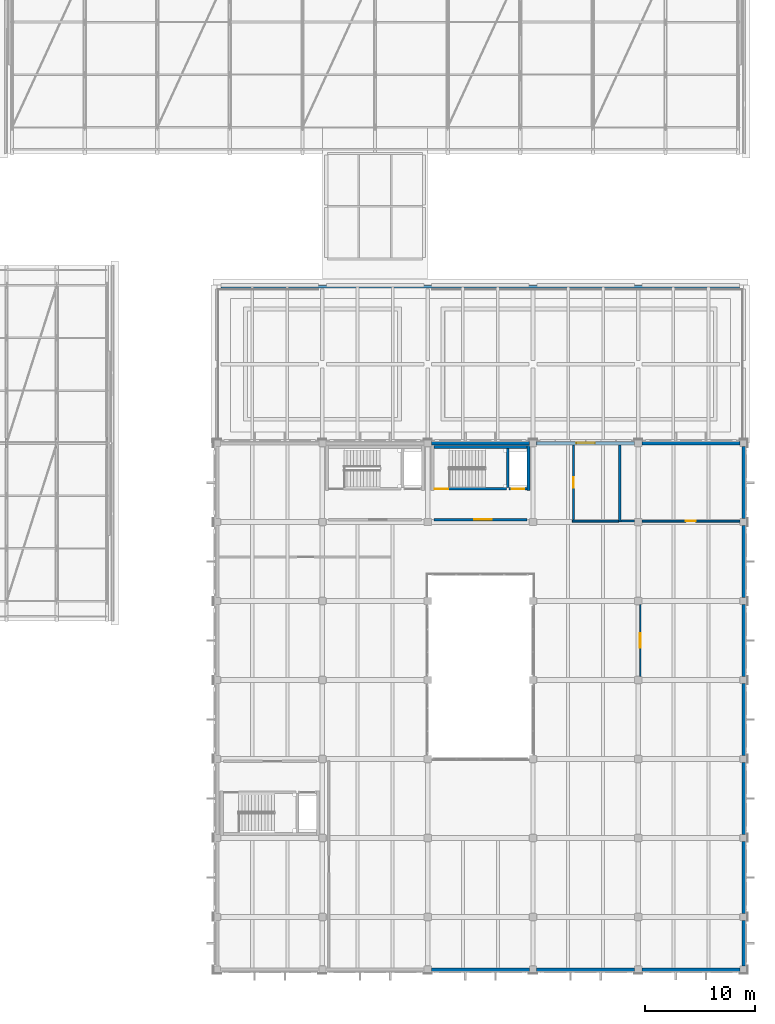
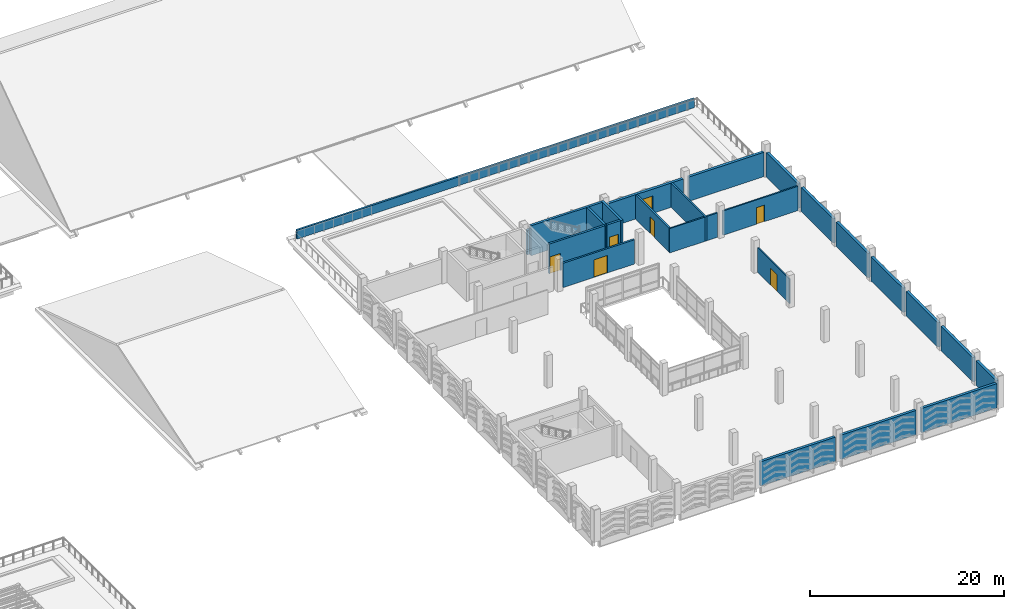
# One storey, part 116 of 134: 26 walls, 7 doors, 7 openings.
"""IFC4 building model written with IfcOpenShell, lengths in metres."""

from ifc_helpers import new_model, si_unit, direction, frame, frame_2d, origin, place, context, subcontext, project, spatial, rectangle, extrude, material, layer, layer_set, type_object, element, fill, save


model = new_model("IFC4")

# Units and contexts
model_context = context("Model", 3, precision=1e-05, world=origin(), true_north=direction((0.0, 1.0)))
body_context = subcontext(model_context, "Body", "Model", "MODEL_VIEW")
ifc_project = project(units=[si_unit("LENGTHUNIT", "METRE"), si_unit("AREAUNIT", "SQUARE_METRE"), si_unit("VOLUMEUNIT", "CUBIC_METRE"), si_unit("PLANEANGLEUNIT", "RADIAN"), si_unit("MASSUNIT", "GRAM", prefix="KILO")], contexts=[model_context])

# Site, building, storey
site_placement = place(None, origin())
site = spatial("IfcSite", under=ifc_project, at=site_placement, CompositionType="ELEMENT")
building_placement = place(site_placement, origin())
building = spatial("IfcBuilding", under=site, at=building_placement, Name="Asteropetra Specialist Clinic", CompositionType="ELEMENT")
storey_placement = place(building_placement, frame((0.0, 0.0, 8.5)))
storey = spatial("IfcBuildingStorey", under=building, at=storey_placement, Name="L02", CompositionType="ELEMENT", Elevation=8.5)

# Walls
ifc_material_1 = material(Name="Chevron aegean deep", Category="masonry")
ifc_layer_1 = layer(ifc_material_1, 0.31494140625)
ifc_layer_set_1 = layer_set([ifc_layer_1], Name="Chevron aegean deep")
wall_type_1 = type_object("IfcWallType", Name="EW-CHEV-AEG-315", PredefinedType="SOLIDWALL", material=ifc_layer_set_1)
for number, where, z_axis, x_axis, name in (
    (1, (125.125, 0.0, 0.0), (0.0, 0.0, 1.0), (1.0, 0.0, 0.0), "Exterior Wall EW-0235"),
    (2, (134.074951171875, 48.0, 0.0), (0.0, 0.0, 1.0), (-1.0, 0.0, 0.0), "Exterior Wall EW-0236"),
    (3, (134.72509765625, 0.0, 0.0), (0.0, 0.0, 1.0), (1.0, 0.0, 0.0), "Exterior Wall EW-0237"),
):
    element("IfcWall", number, at=place(storey_placement, frame(where, z_axis=z_axis, x_axis=x_axis)), inside=storey, type_object=wall_type_1, Name=name, PredefinedType="SOLIDWALL", context=body_context, shape_type="SweptSolid", body=[
        extrude(rectangle(XDim=8.949951171875, YDim=0.31494140625, at=frame_2d((4.47509765625, 0.0))), origin(), (0.0, 0.0, 1.0), 3.06005859375),
    ])

# Wall, opening, door
wall_1_placement = place(storey_placement, frame((143.675048828125, 48.0, 0.0), z_axis=(0.0, 0.0, 1.0), x_axis=(-1.0, 0.0, 0.0)))
wall_1 = element("IfcWall", 4, at=wall_1_placement, inside=storey, type_object=wall_type_1, Name="Exterior Wall EW-0238", PredefinedType="SOLIDWALL", context=body_context, shape_type="SweptSolid", body=[
    extrude(rectangle(XDim=8.949951171875, YDim=0.31494140625, at=frame_2d((4.47509765625, 0.0))), origin(), (0.0, 0.0, 1.0), 3.06005859375),
])
opening_1_placement = place(wall_1_placement, frame((3.625, 0.0, 0.0)))
opening_1 = element("IfcOpeningElement", 5, at=opening_1_placement, cuts=wall_1, Name="Opening TD-18", PredefinedType="OPENING", context=body_context, shape_type="SweptSolid", body=[
    extrude(rectangle(XDim=1.699951171875, YDim=2.199951171875, at=frame_2d((0.85009765625, 1.10009765625))), frame((0.0, 0.16748046875, 0.0), z_axis=(0.0, -1.0, 0.0), x_axis=(1.0, 0.0, 0.0)), (0.0, 0.0, 1.0), 0.3349609375),
])
ifc_material_2 = material(Name="Bronze aluminium and low-E glass", Category="aluminium")
door_type_1 = type_object("IfcDoorType", Name="EDR-TER-1700", OperationType="DOUBLE_DOOR_SINGLE_SWING", PredefinedType="DOOR", material=ifc_material_2)
door_1_placement = place(opening_1_placement, origin())
door_1 = element("IfcDoor", 6, at=door_1_placement, inside=storey, type_object=door_type_1, Name="Exterior Door TD-18", OperationType="DOUBLE_DOOR_SINGLE_SWING", OverallHeight=2.199951171875, OverallWidth=1.699951171875, PredefinedType="DOOR", context=body_context, shape_type="SweptSolid", body=[
    extrude(rectangle(XDim=1.699951171875, YDim=2.199951171875, at=frame_2d((0.85009765625, 1.10009765625))), frame((0.0, 0.02490234375, 0.0), z_axis=(0.0, -1.0, 0.0), x_axis=(1.0, 0.0, 0.0)), (0.0, 0.0, 1.0), 0.050048828125),
])
fill(opening_1, door_1)

# Walls
for number, where, z_axis, x_axis, name in (
    (7, (144.324951171875, 0.0, 0.0), (0.0, 0.0, 1.0), (1.0, 0.0, 0.0), "Exterior Wall EW-0239"),
    (8, (153.27490234375, 48.0, 0.0), (0.0, 0.0, 1.0), (-1.0, 0.0, 0.0), "Exterior Wall EW-0240"),
):
    element("IfcWall", number, at=place(storey_placement, frame(where, z_axis=z_axis, x_axis=x_axis)), inside=storey, type_object=wall_type_1, Name=name, PredefinedType="SOLIDWALL", context=body_context, shape_type="SweptSolid", body=[
        extrude(rectangle(XDim=8.949951171875, YDim=0.31494140625, at=frame_2d((4.47509765625, 0.0))), origin(), (0.0, 0.0, 1.0), 3.06005859375),
    ])
wall_2_placement = place(storey_placement, frame((153.60009765625, 0.324951171875, 0.0), z_axis=(0.0, 0.0, 1.0), x_axis=(0.0, 1.0, 0.0)))
element("IfcWall", 9, at=wall_2_placement, inside=storey, type_object=wall_type_1, Name="Exterior Wall EW-0242", PredefinedType="SOLIDWALL", context=body_context, shape_type="SweptSolid", body=[
    extrude(rectangle(XDim=4.150146484375, YDim=0.31494140625, at=frame_2d((2.0751953125, 0.0))), origin(), (0.0, 0.0, 1.0), 3.06005859375),
])
for number, where, z_axis, x_axis, name in (
    (10, (153.60009765625, 5.125, 0.0), (0.0, 0.0, 1.0), (0.0, 1.0, 0.0), "Exterior Wall EW-0244"),
    (11, (153.60009765625, 12.324951171875, 0.0), (0.0, 0.0, 1.0), (0.0, 1.0, 0.0), "Exterior Wall EW-0246"),
    (12, (153.60009765625, 19.52490234375, 0.0), (0.0, 0.0, 1.0), (0.0, 1.0, 0.0), "Exterior Wall EW-0248"),
):
    element("IfcWall", number, at=place(storey_placement, frame(where, z_axis=z_axis, x_axis=x_axis)), inside=storey, type_object=wall_type_1, Name=name, PredefinedType="SOLIDWALL", context=body_context, shape_type="SweptSolid", body=[
        extrude(rectangle(XDim=6.550048828125, YDim=0.31494140625, at=frame_2d((3.27490234375, 0.0))), origin(), (0.0, 0.0, 1.0), 3.06005859375),
    ])
wall_3_placement = place(storey_placement, frame((153.60009765625, 26.72509765625, 0.0), z_axis=(0.0, 0.0, 1.0), x_axis=(0.0, 1.0, 0.0)))
element("IfcWall", 13, at=wall_3_placement, inside=storey, type_object=wall_type_1, Name="Exterior Wall EW-0250", PredefinedType="SOLIDWALL", context=body_context, shape_type="SweptSolid", body=[
    extrude(rectangle(XDim=6.5498046875, YDim=0.31494140625, at=frame_2d((3.27490234375, 0.0))), origin(), (0.0, 0.0, 1.0), 3.06005859375),
])
for number, where, z_axis, x_axis, name in (
    (14, (153.60009765625, 33.925048828125, 0.0), (0.0, 0.0, 1.0), (0.0, 1.0, 0.0), "Exterior Wall EW-0252"),
    (15, (153.60009765625, 41.125, 0.0), (0.0, 0.0, 1.0), (0.0, 1.0, 0.0), "Exterior Wall EW-0254"),
):
    element("IfcWall", number, at=place(storey_placement, frame(where, z_axis=z_axis, x_axis=x_axis)), inside=storey, type_object=wall_type_1, Name=name, PredefinedType="SOLIDWALL", context=body_context, shape_type="SweptSolid", body=[
        extrude(rectangle(XDim=6.550048828125, YDim=0.31494140625, at=frame_2d((3.27490234375, 0.0))), origin(), (0.0, 0.0, 1.0), 3.06005859375),
    ])
ifc_material_3 = material(Name="Piraeus poros limestone", Category="masonry")
ifc_layer_2 = layer(ifc_material_3, 0.219970703125)
ifc_layer_set_2 = layer_set([ifc_layer_2], Name="Piraeus poros limestone")
wall_type_2 = type_object("IfcWallType", Name="EW-PARAPET-220", PredefinedType="PARAPET", material=ifc_layer_set_2)
wall_4_placement = place(storey_placement, frame((105.949951171875, 62.260009765625, 0.0), z_axis=(0.0, 0.0, 1.0), x_axis=(1.0, 0.0, 0.0)))
element("IfcWall", 16, at=wall_4_placement, inside=storey, type_object=wall_type_2, Name="Roof Parapet WP-24", PredefinedType="PARAPET", context=body_context, shape_type="SweptSolid", body=[
    extrude(rectangle(XDim=47.300048828125, YDim=0.219970703125, at=frame_2d((23.64990234375, 0.0))), origin(), (0.0, 0.0, 1.0), 1.1201171875),
])

# Wall, opening, door
ifc_material_4 = material(Name="Fire-rated masonry and gypsum", Category="masonry")
ifc_layer_3 = layer(ifc_material_4, 0.219970703125)
ifc_layer_set_3 = layer_set([ifc_layer_3], Name="Fire-rated masonry and gypsum")
wall_type_3 = type_object("IfcWallType", Name="W-COMP-220", PredefinedType="PARTITIONING", material=ifc_layer_set_3)
wall_5_placement = place(storey_placement, frame((125.360107421875, 41.02001953125, 0.0), z_axis=(0.0, 0.0, 1.0), x_axis=(1.0, 0.0, 0.0)))
wall_5 = element("IfcWall", 17, at=wall_5_placement, inside=storey, type_object=wall_type_3, Name="Core Wall CW-C9-L02-LOB", PredefinedType="PARTITIONING", context=body_context, shape_type="SweptSolid", body=[
    extrude(rectangle(XDim=8.47998046875, YDim=0.219970703125, at=frame_2d((4.239990234375, 0.0))), origin(), (0.0, 0.0, 1.0), 3.06005859375),
])
opening_2_placement = place(wall_5_placement, frame((3.699951171875, 0.0, 0.0)))
opening_2 = element("IfcOpeningElement", 18, at=opening_2_placement, cuts=wall_5, Name="Opening FD-080", PredefinedType="OPENING", context=body_context, shape_type="SweptSolid", body=[
    extrude(rectangle(XDim=1.60009765625, YDim=2.199951171875, at=frame_2d((0.800048828125, 1.10009765625))), frame((0.0, 0.119873046875, 0.0), z_axis=(0.0, -1.0, 0.0), x_axis=(1.0, 0.0, 0.0)), (0.0, 0.0, 1.0), 0.239990234375),
])
ifc_material_5 = material(Name="Fire-rated steel and vision glass door", Category="steel")
door_type_2 = type_object("IfcDoorType", Name="FD-LOBBY-1600", OperationType="DOUBLE_DOOR_SINGLE_SWING", PredefinedType="DOOR", material=ifc_material_5)
door_2_placement = place(opening_2_placement, origin())
door_2 = element("IfcDoor", 19, at=door_2_placement, inside=storey, type_object=door_type_2, Name="Lobby Fire Door FD-080", OperationType="DOUBLE_DOOR_SINGLE_SWING", OverallHeight=2.199951171875, OverallWidth=1.60009765625, PredefinedType="DOOR", context=body_context, shape_type="SweptSolid", body=[
    extrude(rectangle(XDim=1.60009765625, YDim=2.199951171875, at=frame_2d((0.800048828125, 1.10009765625))), frame((0.0, 0.02490234375, 0.0), z_axis=(0.0, -1.0, 0.0), x_axis=(1.0, 0.0, 0.0)), (0.0, 0.0, 1.0), 0.050048828125),
])
fill(opening_2, door_2)

# Walls
ifc_material_6 = material(Name="Concrete C35/45", Category="concrete")
ifc_layer_4 = layer(ifc_material_6, 0.280029296875)
ifc_layer_set_4 = layer_set([ifc_layer_4], Name="Concrete C35/45")
wall_type_4 = type_object("IfcWallType", Name="W-CORE-280", PredefinedType="SHEAR", material=ifc_layer_set_4)
wall_6_placement = place(storey_placement, frame((133.97998046875, 43.699951171875, 0.0), z_axis=(0.0, 0.0, 1.0), x_axis=(0.0, 1.0, 0.0)))
element("IfcWall", 20, at=wall_6_placement, inside=storey, type_object=wall_type_4, Name="Core Wall CW-C9-L02-E", PredefinedType="SHEAR", context=body_context, shape_type="SweptSolid", body=[
    extrude(rectangle(XDim=4.080078125, YDim=0.280029296875, at=frame_2d((2.0400390625, 0.0))), origin(), (0.0, 0.0, 1.0), 3.780029296875),
])
wall_7_placement = place(storey_placement, frame((125.35498046875, 47.639892578125, 0.0), z_axis=(0.0, 0.0, 1.0), x_axis=(1.0, 0.0, 0.0)))
element("IfcWall", 21, at=wall_7_placement, inside=storey, type_object=wall_type_4, Name="Core Wall CW-C9-L02-BACK", PredefinedType="SHEAR", context=body_context, shape_type="SweptSolid", body=[
    extrude(rectangle(XDim=8.489990234375, YDim=0.280029296875, at=frame_2d((4.2451171875, 0.0))), origin(), (0.0, 0.0, 1.0), 3.780029296875),
])

# Wall, opening, door
ifc_material_7 = material(Name="Office and seminar partition", Category="masonry")
ifc_layer_5 = layer(ifc_material_7, 0.1298828125)
ifc_layer_set_5 = layer_set([ifc_layer_5], Name="Office and seminar partition")
wall_type_5 = type_object("IfcWallType", Name="W-PART-130", PredefinedType="PARTITIONING", material=ifc_layer_set_5)
wall_8_placement = place(storey_placement, frame((144.179931640625, 26.72998046875, 0.0), z_axis=(0.0, 0.0, 1.0), x_axis=(0.0, 1.0, 0.0)))
wall_8 = element("IfcWall", 22, at=wall_8_placement, inside=storey, type_object=wall_type_5, Name="Interior Partition PW-0138", PredefinedType="PARTITIONING", context=body_context, shape_type="SweptSolid", body=[
    extrude(rectangle(XDim=6.5400390625, YDim=0.1298828125, at=frame_2d((3.27001953125, 0.0))), origin(), (0.0, 0.0, 1.0), 3.110107421875),
])
opening_3_placement = place(wall_8_placement, frame((2.594970703125, 0.0, 0.0)))
opening_3 = element("IfcOpeningElement", 23, at=opening_3_placement, cuts=wall_8, Name="Opening ID-0092", PredefinedType="OPENING", context=body_context, shape_type="SweptSolid", body=[
    extrude(rectangle(XDim=1.35009765625, YDim=2.1201171875, at=frame_2d((0.675048828125, 1.06005859375))), frame((0.0, 0.074951171875, 0.0), z_axis=(0.0, -1.0, 0.0), x_axis=(1.0, 0.0, 0.0)), (0.0, 0.0, 1.0), 0.14990234375),
])
ifc_material_8 = material(Name="Antimicrobial laminate timber leaf in steel frame", Category="steel")
door_type_3 = type_object("IfcDoorType", Name="ID-LAB-1350", OperationType="NOTDEFINED", PredefinedType="DOOR", material=ifc_material_8)
door_3_placement = place(opening_3_placement, origin())
door_3 = element("IfcDoor", 24, at=door_3_placement, inside=storey, type_object=door_type_3, Name="Interior Door ID-0092", OperationType="SINGLE_SWING_LEFT", OverallHeight=2.1201171875, OverallWidth=1.35009765625, PredefinedType="DOOR", context=body_context, shape_type="SweptSolid", body=[
    extrude(rectangle(XDim=1.35009765625, YDim=2.1201171875, at=frame_2d((0.675048828125, 1.06005859375))), frame((0.0, 0.02490234375, 0.0), z_axis=(0.0, -1.0, 0.0), x_axis=(1.0, 0.0, 0.0)), (0.0, 0.0, 1.0), 0.050048828125),
])
fill(opening_3, door_3)

# Wall
ifc_material_9 = material(Name="En-suite plumbing wall", Category="masonry")
ifc_layer_6 = layer(ifc_material_9, 0.169921875)
ifc_layer_set_6 = layer_set([ifc_layer_6], Name="En-suite plumbing wall")
wall_type_6 = type_object("IfcWallType", Name="W-PLUMB-170", PredefinedType="PLUMBINGWALL", material=ifc_layer_set_6)
wall_9_placement = place(storey_placement, frame((137.9951171875, 40.889892578125, 0.0), z_axis=(0.0, 0.0, 1.0), x_axis=(1.0, 0.0, 0.0)))
element("IfcWall", 25, at=wall_9_placement, inside=storey, type_object=wall_type_6, Name="Interior Partition PW-0123", PredefinedType="PLUMBINGWALL", context=body_context, shape_type="SweptSolid", body=[
    extrude(rectangle(XDim=4.212890625, YDim=0.169921875, at=frame_2d((2.1064453125, 0.0))), origin(), (0.0, 0.0, 1.0), 3.06005859375),
])

# Wall, opening, door
wall_10_placement = place(storey_placement, frame((144.330078125, 40.889892578125, 0.0), z_axis=(0.0, 0.0, 1.0), x_axis=(1.0, 0.0, 0.0)))
wall_10 = element("IfcWall", 26, at=wall_10_placement, inside=storey, type_object=wall_type_6, Name="Interior Partition PW-0125", PredefinedType="PLUMBINGWALL", context=body_context, shape_type="SweptSolid", body=[
    extrude(rectangle(XDim=8.93994140625, YDim=0.169921875, at=frame_2d((4.469970703125, 0.0))), origin(), (0.0, 0.0, 1.0), 3.06005859375),
])
opening_4_placement = place(wall_10_placement, frame((4.010009765625, 0.0, 0.0)))
opening_4 = element("IfcOpeningElement", 27, at=opening_4_placement, cuts=wall_10, Name="Opening ID-0080", PredefinedType="OPENING", context=body_context, shape_type="SweptSolid", body=[
    extrude(rectangle(XDim=0.919921875, YDim=2.080078125, at=frame_2d((0.4599609375, 1.0400390625))), frame((0.0, 0.094970703125, 0.0), z_axis=(0.0, -1.0, 0.0), x_axis=(1.0, 0.0, 0.0)), (0.0, 0.0, 1.0), 0.18994140625),
])
ifc_material_10 = material(Name="Antimicrobial laminate timber leaf in steel frame", Category="steel")
door_type_4 = type_object("IfcDoorType", Name="ID-WC-0920", OperationType="NOTDEFINED", PredefinedType="DOOR", material=ifc_material_10)
door_4_placement = place(opening_4_placement, origin())
door_4 = element("IfcDoor", 28, at=door_4_placement, inside=storey, type_object=door_type_4, Name="Interior Door ID-0080", OperationType="SINGLE_SWING_RIGHT", OverallHeight=2.080078125, OverallWidth=0.919921875, PredefinedType="DOOR", context=body_context, shape_type="SweptSolid", body=[
    extrude(rectangle(XDim=0.919921875, YDim=2.080078125, at=frame_2d((0.4599609375, 1.0400390625))), frame((0.0, 0.02490234375, 0.0), z_axis=(0.0, -1.0, 0.0), x_axis=(1.0, 0.0, 0.0)), (0.0, 0.0, 1.0), 0.050048828125),
])
fill(opening_4, door_4)

# Wall
ifc_material_11 = material(Name="Sanitary service-chase wall", Category="masonry")
ifc_layer_7 = layer(ifc_material_11, 0.199951171875)
ifc_layer_set_7 = layer_set([ifc_layer_7], Name="Sanitary service-chase wall")
wall_type_7 = type_object("IfcWallType", Name="W-PLUMB-200", PredefinedType="PLUMBINGWALL", material=ifc_layer_set_7)
wall_11_placement = place(storey_placement, frame((142.31005859375, 40.794921875, 0.0), z_axis=(0.0, 0.0, 1.0), x_axis=(0.0, 1.0, 0.0)))
element("IfcWall", 29, at=wall_11_placement, inside=storey, type_object=wall_type_7, Name="Interior Partition PW-0122", PredefinedType="PLUMBINGWALL", context=body_context, shape_type="SweptSolid", body=[
    extrude(rectangle(XDim=7.045654296875, YDim=0.199951171875, at=frame_2d((3.52294921875, 0.0))), origin(), (0.0, 0.0, 1.0), 3.06005859375),
])

# Wall, opening, door
wall_12_placement = place(storey_placement, frame((138.090087890625, 40.97705078125, 0.0), z_axis=(0.0, 0.0, 1.0), x_axis=(0.0, 1.0, 0.0)))
wall_12 = element("IfcWall", 30, at=wall_12_placement, inside=storey, type_object=wall_type_7, Name="Interior Partition PW-0124", PredefinedType="PLUMBINGWALL", context=body_context, shape_type="SweptSolid", body=[
    extrude(rectangle(XDim=6.863525390625, YDim=0.199951171875, at=frame_2d((3.431640625, 0.0))), origin(), (0.0, 0.0, 1.0), 3.06005859375),
])
opening_5_placement = place(wall_12_placement, frame((2.94189453125, 0.0, 0.0)))
opening_5 = element("IfcOpeningElement", 31, at=opening_5_placement, cuts=wall_12, Name="Opening ID-0079", PredefinedType="OPENING", context=body_context, shape_type="SweptSolid", body=[
    extrude(rectangle(XDim=0.97998046875, YDim=2.080078125, at=frame_2d((0.489990234375, 1.0400390625))), frame((0.0, 0.10986328125, 0.0), z_axis=(0.0, -1.0, 0.0), x_axis=(1.0, 0.0, 0.0)), (0.0, 0.0, 1.0), 0.219970703125),
])
ifc_material_12 = material(Name="Antimicrobial laminate timber leaf in steel frame", Category="steel")
door_type_5 = type_object("IfcDoorType", Name="ID-AWC-0980", OperationType="NOTDEFINED", PredefinedType="DOOR", material=ifc_material_12)
door_5_placement = place(opening_5_placement, origin())
door_5 = element("IfcDoor", 32, at=door_5_placement, inside=storey, type_object=door_type_5, Name="Interior Door ID-0079", OperationType="SINGLE_SWING_LEFT", OverallHeight=2.080078125, OverallWidth=0.97998046875, PredefinedType="DOOR", context=body_context, shape_type="SweptSolid", body=[
    extrude(rectangle(XDim=0.97998046875, YDim=2.080078125, at=frame_2d((0.489990234375, 1.0400390625))), frame((0.0, 0.02490234375, 0.0), z_axis=(0.0, -1.0, 0.0), x_axis=(1.0, 0.0, 0.0)), (0.0, 0.0, 1.0), 0.050048828125),
])
fill(opening_5, door_5)

# Walls
wall_13_placement = place(storey_placement, frame((142.412109375, 40.889892578125, 0.0), z_axis=(0.0, 0.0, 1.0), x_axis=(1.0, 0.0, 0.0)))
element("IfcWall", 33, at=wall_13_placement, inside=storey, type_object=wall_type_7, Name="Interior Partition PW-0126", PredefinedType="PLUMBINGWALL", context=body_context, shape_type="SweptSolid", body=[
    extrude(rectangle(XDim=1.2578125, YDim=0.199951171875, at=frame_2d((0.62890625, 0.0))), origin(), (0.0, 0.0, 1.0), 3.06005859375),
])
ifc_material_13 = material(Name="Concrete C35/45", Category="concrete")
ifc_layer_8 = layer(ifc_material_13, 0.25)
ifc_layer_set_8 = layer_set([ifc_layer_8], Name="Concrete C35/45")
wall_type_8 = type_object("IfcWallType", Name="W-SHAFT-250", PredefinedType="SHEAR", material=ifc_layer_set_8)
wall_14_placement = place(storey_placement, frame((132.10009765625, 43.9599609375, 0.0), z_axis=(0.0, 0.0, 1.0), x_axis=(0.0, 1.0, 0.0)))
element("IfcWall", 34, at=wall_14_placement, inside=storey, type_object=wall_type_8, Name="Core Wall CW-C9-L02-MID", PredefinedType="SHEAR", context=body_context, shape_type="SweptSolid", body=[
    extrude(rectangle(XDim=3.5400390625, YDim=0.25, at=frame_2d((1.77001953125, 0.0))), origin(), (0.0, 0.0, 1.0), 3.780029296875),
])

# Wall, opening, door
wall_15_placement = place(storey_placement, frame((125.35498046875, 43.840087890625, 0.0), z_axis=(0.0, 0.0, 1.0), x_axis=(1.0, 0.0, 0.0)))
wall_15 = element("IfcWall", 35, at=wall_15_placement, inside=storey, type_object=wall_type_8, Name="Core Wall CW-C9-L02-STDIV", PredefinedType="SHEAR", context=body_context, shape_type="SweptSolid", body=[
    extrude(rectangle(XDim=6.625, YDim=0.25, at=frame_2d((3.3125, 0.0))), origin(), (0.0, 0.0, 1.0), 3.780029296875),
])
opening_6_placement = place(wall_15_placement, frame((0.080078125, 0.0, 0.0)))
opening_6 = element("IfcOpeningElement", 36, at=opening_6_placement, cuts=wall_15, Name="Opening FD-079", PredefinedType="OPENING", context=body_context, shape_type="SweptSolid", body=[
    extrude(rectangle(XDim=1.239990234375, YDim=2.14990234375, at=frame_2d((0.6201171875, 1.074951171875))), frame((0.0, 0.135009765625, 0.0), z_axis=(0.0, -1.0, 0.0), x_axis=(1.0, 0.0, 0.0)), (0.0, 0.0, 1.0), 0.27001953125),
])
ifc_material_14 = material(Name="Fire-rated steel and vision glass door", Category="steel")
door_type_6 = type_object("IfcDoorType", Name="FD-STAIR-1400", OperationType="DOUBLE_DOOR_SINGLE_SWING", PredefinedType="DOOR", material=ifc_material_14)
door_6_placement = place(opening_6_placement, origin())
door_6 = element("IfcDoor", 37, at=door_6_placement, inside=storey, type_object=door_type_6, Name="Stair Fire Door FD-079", OperationType="DOUBLE_DOOR_SINGLE_SWING", OverallHeight=2.14990234375, OverallWidth=1.239990234375, PredefinedType="DOOR", context=body_context, shape_type="SweptSolid", body=[
    extrude(rectangle(XDim=1.239990234375, YDim=2.14990234375, at=frame_2d((0.6201171875, 1.074951171875))), frame((0.0, 0.02490234375, 0.0), z_axis=(0.0, -1.0, 0.0), x_axis=(1.0, 0.0, 0.0)), (0.0, 0.0, 1.0), 0.050048828125),
])
fill(opening_6, door_6)

wall_16_placement = place(storey_placement, frame((132.219970703125, 43.840087890625, 0.0), z_axis=(0.0, 0.0, 1.0), x_axis=(1.0, 0.0, 0.0)))
wall_16 = element("IfcWall", 38, at=wall_16_placement, inside=storey, type_object=wall_type_8, Name="Lift Shaft Front Wall CW-C9-L02-LFTF", PredefinedType="SHEAR", context=body_context, shape_type="SweptSolid", body=[
    extrude(rectangle(XDim=1.625, YDim=0.25, at=frame_2d((0.8125, 0.0))), origin(), (0.0, 0.0, 1.0), 3.780029296875),
])
opening_7_placement = place(wall_16_placement, frame((0.262451171875, 0.0, 0.0)))
opening_7 = element("IfcOpeningElement", 39, at=opening_7_placement, cuts=wall_16, Name="Opening LD-040", PredefinedType="OPENING", context=body_context, shape_type="SweptSolid", body=[
    extrude(rectangle(XDim=1.10009765625, YDim=2.14990234375, at=frame_2d((0.550048828125, 1.074951171875))), frame((0.0, 0.135009765625, 0.0), z_axis=(0.0, -1.0, 0.0), x_axis=(1.0, 0.0, 0.0)), (0.0, 0.0, 1.0), 0.27001953125),
])
ifc_material_15 = material(Name="Brushed stainless steel sliding lift landing door", Category="steel")
door_type_7 = type_object("IfcDoorType", Name="LD-PASS-1100", OperationType="DOUBLE_DOOR_SLIDING", PredefinedType="DOOR", material=ifc_material_15)
door_7_placement = place(opening_7_placement, origin())
door_7 = element("IfcDoor", 40, at=door_7_placement, inside=storey, type_object=door_type_7, Name="Lift Landing Door LD-040", OperationType="DOUBLE_DOOR_SLIDING", OverallHeight=2.14990234375, OverallWidth=1.10009765625, PredefinedType="DOOR", context=body_context, shape_type="SweptSolid", body=[
    extrude(rectangle(XDim=1.10009765625, YDim=2.14990234375, at=frame_2d((0.550048828125, 1.074951171875))), frame((0.0, 0.02490234375, 0.0), z_axis=(0.0, -1.0, 0.0), x_axis=(1.0, 0.0, 0.0)), (0.0, 0.0, 1.0), 0.050048828125),
])
fill(opening_7, door_7)

save(model, "model.ifc")
